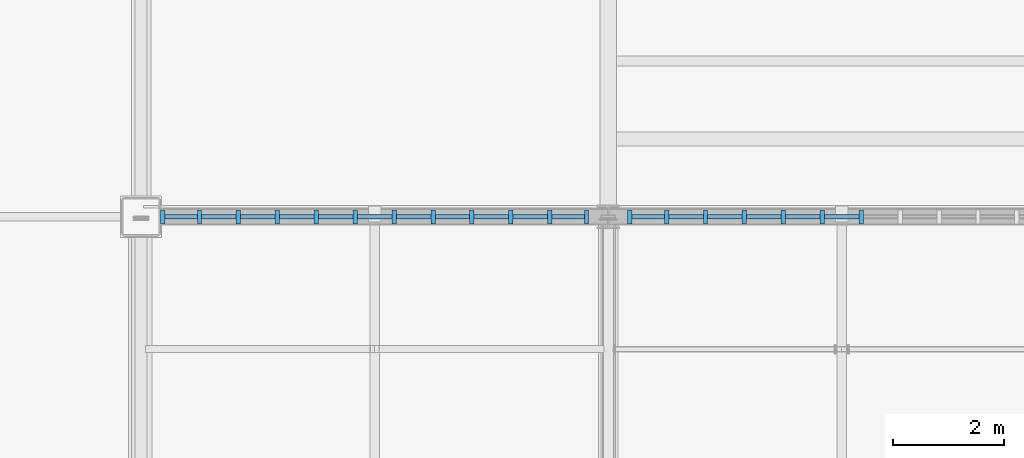
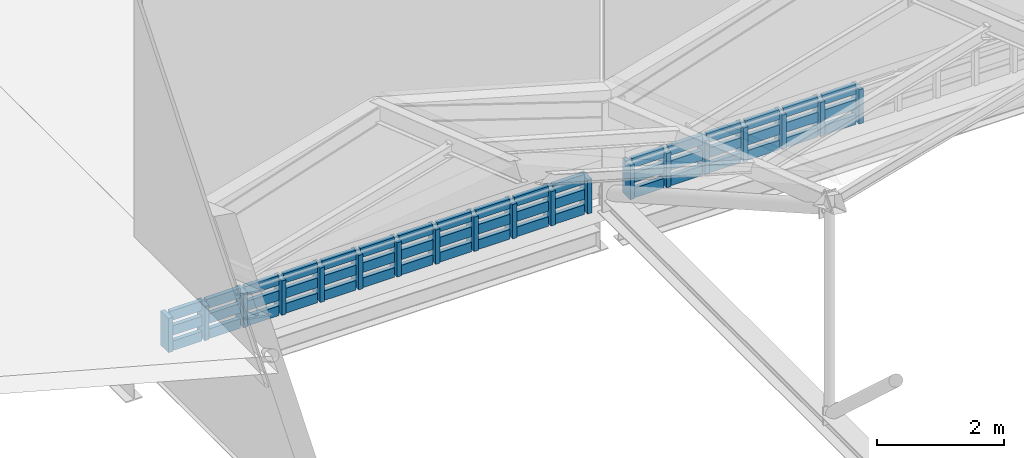
# One storey, part 43 of 77: 70 members, 2 elements without a shape of their own.
"""IFC4 building model written with IfcOpenShell, lengths in metres."""

from ifc_helpers import new_model, si_unit, direction, frame, origin, origin_2d, place, context, subcontext, project, spatial, rectangle, extrude, material, material_profile, profile_set, type_object, element, aggregate, save


model = new_model("IFC4")

# Units and contexts
model_context = context("Model", 3, precision=1e-05, world=origin(), true_north=direction((0.0, 1.0)))
body_context = subcontext(model_context, "Body", "Model", "MODEL_VIEW")
ifc_project = project(units=[si_unit("LENGTHUNIT", "METRE"), si_unit("AREAUNIT", "SQUARE_METRE"), si_unit("VOLUMEUNIT", "CUBIC_METRE"), si_unit("PLANEANGLEUNIT", "RADIAN"), si_unit("MASSUNIT", "GRAM", prefix="KILO")], contexts=[model_context])

# Site, building, storey
site_placement = place(None, origin())
site = spatial("IfcSite", under=ifc_project, at=site_placement, CompositionType="ELEMENT")
building_placement = place(site_placement, origin())
building = spatial("IfcBuilding", under=site, at=building_placement, Name="Larkvane Passage Sports Hall", CompositionType="ELEMENT")
storey_placement = place(building_placement, frame((0.0, 0.0, 22.199951171875)))
storey = spatial("IfcBuildingStorey", under=building, at=storey_placement, Name="RF", CompositionType="ELEMENT", Elevation=22.199951171875)

# Curtain wall, members
ifc_material_1 = material(Name="Thermally broken aluminium and low-E glazing", Category="aluminium")
curtain_wall_type = type_object("IfcCurtainWallType", Name="CW-CLER-N", PredefinedType="USERDEFINED", material=ifc_material_1)
curtain_wall_1_placement = place(storey_placement, origin())
curtain_wall_1 = element("IfcCurtainWall", 1, at=curtain_wall_1_placement, inside=storey, type_object=curtain_wall_type, Name="Curtain wall CW5-RF-CLER-1", ObjectType="STICK CURTAIN WALL", PredefinedType="USERDEFINED")
ifc_material_2 = material(Name="Anodised aluminium 6063-T6", Category="aluminium")
ifc_material_profile_1 = material_profile(ifc_material_2, rectangle(XDim=0.080078125, YDim=0.25, at=origin_2d()), Name="ALU-MUL-80x250")
ifc_profile_set_1 = profile_set([ifc_material_profile_1], Name="Anodised aluminium 6063-T6")
member_type_1 = type_object("IfcMemberType", Name="CW-MUL-80x250", PredefinedType="MULLION", material=ifc_profile_set_1)
member_1_placement = place(storey_placement, frame((42.81005859375, 75.60009765625, 0.0), z_axis=(0.0, 0.0, 1.0), x_axis=(-1.0, 0.0, 0.0)))
member_1 = element("IfcMember", 2, at=member_1_placement, type_object=member_type_1, Name="CW-04 mullion 1", PredefinedType="MULLION", context=body_context, shape_type="SweptSolid", body=[
    extrude(rectangle(XDim=0.080078125, YDim=0.25, at=origin_2d()), origin(), (0.0, 0.0, 1.0), 0.66015625),
])
member_2_placement = place(storey_placement, frame((42.14990234375, 75.60009765625, 0.0), z_axis=(0.0, 0.0, 1.0), x_axis=(-1.0, 0.0, 0.0)))
member_2 = element("IfcMember", 3, at=member_2_placement, type_object=member_type_1, Name="CW-04 mullion 2", PredefinedType="MULLION", context=body_context, shape_type="SweptSolid", body=[
    extrude(rectangle(XDim=0.080078125, YDim=0.25, at=origin_2d()), origin(), (0.0, 0.0, 1.0), 0.66015625),
])
member_3_placement = place(storey_placement, frame((41.449951171875, 75.60009765625, 0.0), z_axis=(0.0, 0.0, 1.0), x_axis=(-1.0, 0.0, 0.0)))
member_3 = element("IfcMember", 4, at=member_3_placement, type_object=member_type_1, Name="CW-04 mullion 3", PredefinedType="MULLION", context=body_context, shape_type="SweptSolid", body=[
    extrude(rectangle(XDim=0.080078125, YDim=0.25, at=origin_2d()), origin(), (0.0, 0.0, 1.0), 0.66015625),
])
member_4_placement = place(storey_placement, frame((40.75, 75.60009765625, 0.0), z_axis=(0.0, 0.0, 1.0), x_axis=(-1.0, 0.0, 0.0)))
member_4 = element("IfcMember", 5, at=member_4_placement, type_object=member_type_1, Name="CW-04 mullion 4", PredefinedType="MULLION", context=body_context, shape_type="SweptSolid", body=[
    extrude(rectangle(XDim=0.080078125, YDim=0.25, at=origin_2d()), origin(), (0.0, 0.0, 1.0), 0.66015625),
])
member_5_placement = place(storey_placement, frame((40.050048828125, 75.60009765625, 0.0), z_axis=(0.0, 0.0, 1.0), x_axis=(-1.0, 0.0, 0.0)))
member_5 = element("IfcMember", 6, at=member_5_placement, type_object=member_type_1, Name="CW-04 mullion 5", PredefinedType="MULLION", context=body_context, shape_type="SweptSolid", body=[
    extrude(rectangle(XDim=0.080078125, YDim=0.25, at=origin_2d()), origin(), (0.0, 0.0, 1.0), 0.66015625),
])
member_6_placement = place(storey_placement, frame((39.35009765625, 75.60009765625, 0.0), z_axis=(0.0, 0.0, 1.0), x_axis=(-1.0, 0.0, 0.0)))
member_6 = element("IfcMember", 7, at=member_6_placement, type_object=member_type_1, Name="CW-04 mullion 6", PredefinedType="MULLION", context=body_context, shape_type="SweptSolid", body=[
    extrude(rectangle(XDim=0.080078125, YDim=0.25, at=origin_2d()), origin(), (0.0, 0.0, 1.0), 0.66015625),
])
member_7_placement = place(storey_placement, frame((38.64990234375, 75.60009765625, 0.0), z_axis=(0.0, 0.0, 1.0), x_axis=(-1.0, 0.0, 0.0)))
member_7 = element("IfcMember", 8, at=member_7_placement, type_object=member_type_1, Name="CW-04 mullion 7", PredefinedType="MULLION", context=body_context, shape_type="SweptSolid", body=[
    extrude(rectangle(XDim=0.080078125, YDim=0.25, at=origin_2d()), origin(), (0.0, 0.0, 1.0), 0.66015625),
])
member_8_placement = place(storey_placement, frame((37.949951171875, 75.60009765625, 0.0), z_axis=(0.0, 0.0, 1.0), x_axis=(-1.0, 0.0, 0.0)))
member_8 = element("IfcMember", 9, at=member_8_placement, type_object=member_type_1, Name="CW-04 mullion 8", PredefinedType="MULLION", context=body_context, shape_type="SweptSolid", body=[
    extrude(rectangle(XDim=0.080078125, YDim=0.25, at=origin_2d()), origin(), (0.0, 0.0, 1.0), 0.66015625),
])
member_9_placement = place(storey_placement, frame((37.25, 75.60009765625, 0.0), z_axis=(0.0, 0.0, 1.0), x_axis=(-1.0, 0.0, 0.0)))
member_9 = element("IfcMember", 10, at=member_9_placement, type_object=member_type_1, Name="CW-04 mullion 9", PredefinedType="MULLION", context=body_context, shape_type="SweptSolid", body=[
    extrude(rectangle(XDim=0.080078125, YDim=0.25, at=origin_2d()), origin(), (0.0, 0.0, 1.0), 0.66015625),
])
member_10_placement = place(storey_placement, frame((36.550048828125, 75.60009765625, 0.0), z_axis=(0.0, 0.0, 1.0), x_axis=(-1.0, 0.0, 0.0)))
member_10 = element("IfcMember", 11, at=member_10_placement, type_object=member_type_1, Name="CW-04 mullion 10", PredefinedType="MULLION", context=body_context, shape_type="SweptSolid", body=[
    extrude(rectangle(XDim=0.080078125, YDim=0.25, at=origin_2d()), origin(), (0.0, 0.0, 1.0), 0.66015625),
])
member_11_placement = place(storey_placement, frame((35.85009765625, 75.60009765625, 0.0), z_axis=(0.0, 0.0, 1.0), x_axis=(-1.0, 0.0, 0.0)))
member_11 = element("IfcMember", 12, at=member_11_placement, type_object=member_type_1, Name="CW-04 mullion 11", PredefinedType="MULLION", context=body_context, shape_type="SweptSolid", body=[
    extrude(rectangle(XDim=0.080078125, YDim=0.25, at=origin_2d()), origin(), (0.0, 0.0, 1.0), 0.66015625),
])
member_12_placement = place(storey_placement, frame((35.18994140625, 75.60009765625, 0.0), z_axis=(0.0, 0.0, 1.0), x_axis=(-1.0, 0.0, 0.0)))
member_12 = element("IfcMember", 13, at=member_12_placement, type_object=member_type_1, Name="CW-04 mullion 12", PredefinedType="MULLION", context=body_context, shape_type="SweptSolid", body=[
    extrude(rectangle(XDim=0.080078125, YDim=0.25, at=origin_2d()), origin(), (0.0, 0.0, 1.0), 0.66015625),
])

curtain_wall_2_placement = place(storey_placement, origin())
curtain_wall_2 = element("IfcCurtainWall", 14, at=curtain_wall_2_placement, inside=storey, type_object=curtain_wall_type, Name="Curtain wall CW5-RF-CLER-2", ObjectType="STICK CURTAIN WALL", PredefinedType="USERDEFINED")
member_13_placement = place(storey_placement, frame((47.75, 75.60009765625, 0.0), z_axis=(0.0, 0.0, 1.0), x_axis=(-1.0, 0.0, 0.0)))
member_13 = element("IfcMember", 15, at=member_13_placement, type_object=member_type_1, Name="CW-04 mullion 6", PredefinedType="MULLION", context=body_context, shape_type="SweptSolid", body=[
    extrude(rectangle(XDim=0.080078125, YDim=0.25, at=origin_2d()), origin(), (0.0, 0.0, 1.0), 0.66015625),
])
member_14_placement = place(storey_placement, frame((47.050048828125, 75.60009765625, 0.0), z_axis=(0.0, 0.0, 1.0), x_axis=(-1.0, 0.0, 0.0)))
member_14 = element("IfcMember", 16, at=member_14_placement, type_object=member_type_1, Name="CW-04 mullion 7", PredefinedType="MULLION", context=body_context, shape_type="SweptSolid", body=[
    extrude(rectangle(XDim=0.080078125, YDim=0.25, at=origin_2d()), origin(), (0.0, 0.0, 1.0), 0.66015625),
])
member_15_placement = place(storey_placement, frame((46.35009765625, 75.60009765625, 0.0), z_axis=(0.0, 0.0, 1.0), x_axis=(-1.0, 0.0, 0.0)))
member_15 = element("IfcMember", 17, at=member_15_placement, type_object=member_type_1, Name="CW-04 mullion 8", PredefinedType="MULLION", context=body_context, shape_type="SweptSolid", body=[
    extrude(rectangle(XDim=0.080078125, YDim=0.25, at=origin_2d()), origin(), (0.0, 0.0, 1.0), 0.66015625),
])
member_16_placement = place(storey_placement, frame((45.64990234375, 75.60009765625, 0.0), z_axis=(0.0, 0.0, 1.0), x_axis=(-1.0, 0.0, 0.0)))
member_16 = element("IfcMember", 18, at=member_16_placement, type_object=member_type_1, Name="CW-04 mullion 9", PredefinedType="MULLION", context=body_context, shape_type="SweptSolid", body=[
    extrude(rectangle(XDim=0.080078125, YDim=0.25, at=origin_2d()), origin(), (0.0, 0.0, 1.0), 0.66015625),
])
member_17_placement = place(storey_placement, frame((44.949951171875, 75.60009765625, 0.0), z_axis=(0.0, 0.0, 1.0), x_axis=(-1.0, 0.0, 0.0)))
member_17 = element("IfcMember", 19, at=member_17_placement, type_object=member_type_1, Name="CW-04 mullion 10", PredefinedType="MULLION", context=body_context, shape_type="SweptSolid", body=[
    extrude(rectangle(XDim=0.080078125, YDim=0.25, at=origin_2d()), origin(), (0.0, 0.0, 1.0), 0.66015625),
])
member_18_placement = place(storey_placement, frame((44.25, 75.60009765625, 0.0), z_axis=(0.0, 0.0, 1.0), x_axis=(-1.0, 0.0, 0.0)))
member_18 = element("IfcMember", 20, at=member_18_placement, type_object=member_type_1, Name="CW-04 mullion 11", PredefinedType="MULLION", context=body_context, shape_type="SweptSolid", body=[
    extrude(rectangle(XDim=0.080078125, YDim=0.25, at=origin_2d()), origin(), (0.0, 0.0, 1.0), 0.66015625),
])
member_19_placement = place(storey_placement, frame((43.590087890625, 75.60009765625, 0.0), z_axis=(0.0, 0.0, 1.0), x_axis=(-1.0, 0.0, 0.0)))
member_19 = element("IfcMember", 21, at=member_19_placement, type_object=member_type_1, Name="CW-04 mullion 12", PredefinedType="MULLION", context=body_context, shape_type="SweptSolid", body=[
    extrude(rectangle(XDim=0.080078125, YDim=0.25, at=origin_2d()), origin(), (0.0, 0.0, 1.0), 0.66015625),
])

# Member
ifc_material_profile_2 = material_profile(ifc_material_2, rectangle(XDim=0.074951171875, YDim=0.18505859375, at=origin_2d()), Name="ALU-TRN-75x185")
ifc_profile_set_2 = profile_set([ifc_material_profile_2], Name="Anodised aluminium 6063-T6")
member_type_2 = type_object("IfcMemberType", Name="CW-TRN-75x185", PredefinedType="USERDEFINED", material=ifc_profile_set_2)
member_20_placement = place(storey_placement, frame((42.77001953125, 75.60009765625, 0.03759765625), z_axis=(-1.0, 0.0, 0.0), x_axis=(0.0, -1.0, 0.0)))
member_20 = element("IfcMember", 22, at=member_20_placement, type_object=member_type_2, Name="CW-04 transom 1.1", ObjectType="TRANSOM", PredefinedType="USERDEFINED", context=body_context, shape_type="SweptSolid", body=[
    extrude(rectangle(XDim=0.074951171875, YDim=0.18505859375, at=origin_2d()), origin(), (0.0, 0.0, 1.0), 0.580078125),
])

member_21_placement = place(storey_placement, frame((42.77001953125, 75.60009765625, 0.330078125), z_axis=(-1.0, 0.0, 0.0), x_axis=(0.0, -1.0, 0.0)))
member_21 = element("IfcMember", 23, at=member_21_placement, type_object=member_type_2, Name="CW-04 transom 1.2", ObjectType="TRANSOM", PredefinedType="USERDEFINED", context=body_context, shape_type="SweptSolid", body=[
    extrude(rectangle(XDim=0.074951171875, YDim=0.18505859375, at=origin_2d()), origin(), (0.0, 0.0, 1.0), 0.580078125),
])

member_22_placement = place(storey_placement, frame((42.77001953125, 75.60009765625, 0.62255859375), z_axis=(-1.0, 0.0, 0.0), x_axis=(0.0, -1.0, 0.0)))
member_22 = element("IfcMember", 24, at=member_22_placement, type_object=member_type_2, Name="CW-04 transom 1.3", ObjectType="TRANSOM", PredefinedType="USERDEFINED", context=body_context, shape_type="SweptSolid", body=[
    extrude(rectangle(XDim=0.074951171875, YDim=0.18505859375, at=origin_2d()), origin(), (0.0, 0.0, 1.0), 0.580078125),
])

member_23_placement = place(storey_placement, frame((42.110107421875, 75.60009765625, 0.03759765625), z_axis=(-1.0, 0.0, 0.0), x_axis=(0.0, -1.0, 0.0)))
member_23 = element("IfcMember", 25, at=member_23_placement, type_object=member_type_2, Name="CW-04 transom 2.1", ObjectType="TRANSOM", PredefinedType="USERDEFINED", context=body_context, shape_type="SweptSolid", body=[
    extrude(rectangle(XDim=0.074951171875, YDim=0.18505859375, at=origin_2d()), origin(), (0.0, 0.0, 1.0), 0.6201171875),
])

member_24_placement = place(storey_placement, frame((42.110107421875, 75.60009765625, 0.330078125), z_axis=(-1.0, 0.0, 0.0), x_axis=(0.0, -1.0, 0.0)))
member_24 = element("IfcMember", 26, at=member_24_placement, type_object=member_type_2, Name="CW-04 transom 2.2", ObjectType="TRANSOM", PredefinedType="USERDEFINED", context=body_context, shape_type="SweptSolid", body=[
    extrude(rectangle(XDim=0.074951171875, YDim=0.18505859375, at=origin_2d()), origin(), (0.0, 0.0, 1.0), 0.6201171875),
])

member_25_placement = place(storey_placement, frame((42.110107421875, 75.60009765625, 0.62255859375), z_axis=(-1.0, 0.0, 0.0), x_axis=(0.0, -1.0, 0.0)))
member_25 = element("IfcMember", 27, at=member_25_placement, type_object=member_type_2, Name="CW-04 transom 2.3", ObjectType="TRANSOM", PredefinedType="USERDEFINED", context=body_context, shape_type="SweptSolid", body=[
    extrude(rectangle(XDim=0.074951171875, YDim=0.18505859375, at=origin_2d()), origin(), (0.0, 0.0, 1.0), 0.6201171875),
])

member_26_placement = place(storey_placement, frame((41.409912109375, 75.60009765625, 0.03759765625), z_axis=(-1.0, 0.0, 0.0), x_axis=(0.0, -1.0, 0.0)))
member_26 = element("IfcMember", 28, at=member_26_placement, type_object=member_type_2, Name="CW-04 transom 3.1", ObjectType="TRANSOM", PredefinedType="USERDEFINED", context=body_context, shape_type="SweptSolid", body=[
    extrude(rectangle(XDim=0.074951171875, YDim=0.18505859375, at=origin_2d()), origin(), (0.0, 0.0, 1.0), 0.619873046875),
])

member_27_placement = place(storey_placement, frame((41.409912109375, 75.60009765625, 0.330078125), z_axis=(-1.0, 0.0, 0.0), x_axis=(0.0, -1.0, 0.0)))
member_27 = element("IfcMember", 29, at=member_27_placement, type_object=member_type_2, Name="CW-04 transom 3.2", ObjectType="TRANSOM", PredefinedType="USERDEFINED", context=body_context, shape_type="SweptSolid", body=[
    extrude(rectangle(XDim=0.074951171875, YDim=0.18505859375, at=origin_2d()), origin(), (0.0, 0.0, 1.0), 0.619873046875),
])

member_28_placement = place(storey_placement, frame((41.409912109375, 75.60009765625, 0.62255859375), z_axis=(-1.0, 0.0, 0.0), x_axis=(0.0, -1.0, 0.0)))
member_28 = element("IfcMember", 30, at=member_28_placement, type_object=member_type_2, Name="CW-04 transom 3.3", ObjectType="TRANSOM", PredefinedType="USERDEFINED", context=body_context, shape_type="SweptSolid", body=[
    extrude(rectangle(XDim=0.074951171875, YDim=0.18505859375, at=origin_2d()), origin(), (0.0, 0.0, 1.0), 0.619873046875),
])

member_29_placement = place(storey_placement, frame((40.7099609375, 75.60009765625, 0.03759765625), z_axis=(-1.0, 0.0, 0.0), x_axis=(0.0, -1.0, 0.0)))
member_29 = element("IfcMember", 31, at=member_29_placement, type_object=member_type_2, Name="CW-04 transom 4.1", ObjectType="TRANSOM", PredefinedType="USERDEFINED", context=body_context, shape_type="SweptSolid", body=[
    extrude(rectangle(XDim=0.074951171875, YDim=0.18505859375, at=origin_2d()), origin(), (0.0, 0.0, 1.0), 0.619873046875),
])

member_30_placement = place(storey_placement, frame((40.7099609375, 75.60009765625, 0.330078125), z_axis=(-1.0, 0.0, 0.0), x_axis=(0.0, -1.0, 0.0)))
member_30 = element("IfcMember", 32, at=member_30_placement, type_object=member_type_2, Name="CW-04 transom 4.2", ObjectType="TRANSOM", PredefinedType="USERDEFINED", context=body_context, shape_type="SweptSolid", body=[
    extrude(rectangle(XDim=0.074951171875, YDim=0.18505859375, at=origin_2d()), origin(), (0.0, 0.0, 1.0), 0.619873046875),
])

member_31_placement = place(storey_placement, frame((40.7099609375, 75.60009765625, 0.62255859375), z_axis=(-1.0, 0.0, 0.0), x_axis=(0.0, -1.0, 0.0)))
member_31 = element("IfcMember", 33, at=member_31_placement, type_object=member_type_2, Name="CW-04 transom 4.3", ObjectType="TRANSOM", PredefinedType="USERDEFINED", context=body_context, shape_type="SweptSolid", body=[
    extrude(rectangle(XDim=0.074951171875, YDim=0.18505859375, at=origin_2d()), origin(), (0.0, 0.0, 1.0), 0.619873046875),
])

member_32_placement = place(storey_placement, frame((40.010009765625, 75.60009765625, 0.03759765625), z_axis=(-1.0, 0.0, 0.0), x_axis=(0.0, -1.0, 0.0)))
member_32 = element("IfcMember", 34, at=member_32_placement, type_object=member_type_2, Name="CW-04 transom 5.1", ObjectType="TRANSOM", PredefinedType="USERDEFINED", context=body_context, shape_type="SweptSolid", body=[
    extrude(rectangle(XDim=0.074951171875, YDim=0.18505859375, at=origin_2d()), origin(), (0.0, 0.0, 1.0), 0.6201171875),
])

member_33_placement = place(storey_placement, frame((40.010009765625, 75.60009765625, 0.330078125), z_axis=(-1.0, 0.0, 0.0), x_axis=(0.0, -1.0, 0.0)))
member_33 = element("IfcMember", 35, at=member_33_placement, type_object=member_type_2, Name="CW-04 transom 5.2", ObjectType="TRANSOM", PredefinedType="USERDEFINED", context=body_context, shape_type="SweptSolid", body=[
    extrude(rectangle(XDim=0.074951171875, YDim=0.18505859375, at=origin_2d()), origin(), (0.0, 0.0, 1.0), 0.6201171875),
])

member_34_placement = place(storey_placement, frame((40.010009765625, 75.60009765625, 0.62255859375), z_axis=(-1.0, 0.0, 0.0), x_axis=(0.0, -1.0, 0.0)))
member_34 = element("IfcMember", 36, at=member_34_placement, type_object=member_type_2, Name="CW-04 transom 5.3", ObjectType="TRANSOM", PredefinedType="USERDEFINED", context=body_context, shape_type="SweptSolid", body=[
    extrude(rectangle(XDim=0.074951171875, YDim=0.18505859375, at=origin_2d()), origin(), (0.0, 0.0, 1.0), 0.6201171875),
])

member_35_placement = place(storey_placement, frame((39.31005859375, 75.60009765625, 0.03759765625), z_axis=(-1.0, 0.0, 0.0), x_axis=(0.0, -1.0, 0.0)))
member_35 = element("IfcMember", 37, at=member_35_placement, type_object=member_type_2, Name="CW-04 transom 6.1", ObjectType="TRANSOM", PredefinedType="USERDEFINED", context=body_context, shape_type="SweptSolid", body=[
    extrude(rectangle(XDim=0.074951171875, YDim=0.18505859375, at=origin_2d()), origin(), (0.0, 0.0, 1.0), 0.6201171875),
])

member_36_placement = place(storey_placement, frame((39.31005859375, 75.60009765625, 0.330078125), z_axis=(-1.0, 0.0, 0.0), x_axis=(0.0, -1.0, 0.0)))
member_36 = element("IfcMember", 38, at=member_36_placement, type_object=member_type_2, Name="CW-04 transom 6.2", ObjectType="TRANSOM", PredefinedType="USERDEFINED", context=body_context, shape_type="SweptSolid", body=[
    extrude(rectangle(XDim=0.074951171875, YDim=0.18505859375, at=origin_2d()), origin(), (0.0, 0.0, 1.0), 0.6201171875),
])

member_37_placement = place(storey_placement, frame((39.31005859375, 75.60009765625, 0.62255859375), z_axis=(-1.0, 0.0, 0.0), x_axis=(0.0, -1.0, 0.0)))
member_37 = element("IfcMember", 39, at=member_37_placement, type_object=member_type_2, Name="CW-04 transom 6.3", ObjectType="TRANSOM", PredefinedType="USERDEFINED", context=body_context, shape_type="SweptSolid", body=[
    extrude(rectangle(XDim=0.074951171875, YDim=0.18505859375, at=origin_2d()), origin(), (0.0, 0.0, 1.0), 0.6201171875),
])

member_38_placement = place(storey_placement, frame((38.610107421875, 75.60009765625, 0.03759765625), z_axis=(-1.0, 0.0, 0.0), x_axis=(0.0, -1.0, 0.0)))
member_38 = element("IfcMember", 40, at=member_38_placement, type_object=member_type_2, Name="CW-04 transom 7.1", ObjectType="TRANSOM", PredefinedType="USERDEFINED", context=body_context, shape_type="SweptSolid", body=[
    extrude(rectangle(XDim=0.074951171875, YDim=0.18505859375, at=origin_2d()), origin(), (0.0, 0.0, 1.0), 0.6201171875),
])

member_39_placement = place(storey_placement, frame((38.610107421875, 75.60009765625, 0.330078125), z_axis=(-1.0, 0.0, 0.0), x_axis=(0.0, -1.0, 0.0)))
member_39 = element("IfcMember", 41, at=member_39_placement, type_object=member_type_2, Name="CW-04 transom 7.2", ObjectType="TRANSOM", PredefinedType="USERDEFINED", context=body_context, shape_type="SweptSolid", body=[
    extrude(rectangle(XDim=0.074951171875, YDim=0.18505859375, at=origin_2d()), origin(), (0.0, 0.0, 1.0), 0.6201171875),
])

member_40_placement = place(storey_placement, frame((38.610107421875, 75.60009765625, 0.62255859375), z_axis=(-1.0, 0.0, 0.0), x_axis=(0.0, -1.0, 0.0)))
member_40 = element("IfcMember", 42, at=member_40_placement, type_object=member_type_2, Name="CW-04 transom 7.3", ObjectType="TRANSOM", PredefinedType="USERDEFINED", context=body_context, shape_type="SweptSolid", body=[
    extrude(rectangle(XDim=0.074951171875, YDim=0.18505859375, at=origin_2d()), origin(), (0.0, 0.0, 1.0), 0.6201171875),
])

member_41_placement = place(storey_placement, frame((37.909912109375, 75.60009765625, 0.03759765625), z_axis=(-1.0, 0.0, 0.0), x_axis=(0.0, -1.0, 0.0)))
member_41 = element("IfcMember", 43, at=member_41_placement, type_object=member_type_2, Name="CW-04 transom 8.1", ObjectType="TRANSOM", PredefinedType="USERDEFINED", context=body_context, shape_type="SweptSolid", body=[
    extrude(rectangle(XDim=0.074951171875, YDim=0.18505859375, at=origin_2d()), origin(), (0.0, 0.0, 1.0), 0.619873046875),
])

member_42_placement = place(storey_placement, frame((37.909912109375, 75.60009765625, 0.330078125), z_axis=(-1.0, 0.0, 0.0), x_axis=(0.0, -1.0, 0.0)))
member_42 = element("IfcMember", 44, at=member_42_placement, type_object=member_type_2, Name="CW-04 transom 8.2", ObjectType="TRANSOM", PredefinedType="USERDEFINED", context=body_context, shape_type="SweptSolid", body=[
    extrude(rectangle(XDim=0.074951171875, YDim=0.18505859375, at=origin_2d()), origin(), (0.0, 0.0, 1.0), 0.619873046875),
])

member_43_placement = place(storey_placement, frame((37.909912109375, 75.60009765625, 0.62255859375), z_axis=(-1.0, 0.0, 0.0), x_axis=(0.0, -1.0, 0.0)))
member_43 = element("IfcMember", 45, at=member_43_placement, type_object=member_type_2, Name="CW-04 transom 8.3", ObjectType="TRANSOM", PredefinedType="USERDEFINED", context=body_context, shape_type="SweptSolid", body=[
    extrude(rectangle(XDim=0.074951171875, YDim=0.18505859375, at=origin_2d()), origin(), (0.0, 0.0, 1.0), 0.619873046875),
])

member_44_placement = place(storey_placement, frame((37.2099609375, 75.60009765625, 0.03759765625), z_axis=(-1.0, 0.0, 0.0), x_axis=(0.0, -1.0, 0.0)))
member_44 = element("IfcMember", 46, at=member_44_placement, type_object=member_type_2, Name="CW-04 transom 9.1", ObjectType="TRANSOM", PredefinedType="USERDEFINED", context=body_context, shape_type="SweptSolid", body=[
    extrude(rectangle(XDim=0.074951171875, YDim=0.18505859375, at=origin_2d()), origin(), (0.0, 0.0, 1.0), 0.619873046875),
])

member_45_placement = place(storey_placement, frame((37.2099609375, 75.60009765625, 0.330078125), z_axis=(-1.0, 0.0, 0.0), x_axis=(0.0, -1.0, 0.0)))
member_45 = element("IfcMember", 47, at=member_45_placement, type_object=member_type_2, Name="CW-04 transom 9.2", ObjectType="TRANSOM", PredefinedType="USERDEFINED", context=body_context, shape_type="SweptSolid", body=[
    extrude(rectangle(XDim=0.074951171875, YDim=0.18505859375, at=origin_2d()), origin(), (0.0, 0.0, 1.0), 0.619873046875),
])

member_46_placement = place(storey_placement, frame((37.2099609375, 75.60009765625, 0.62255859375), z_axis=(-1.0, 0.0, 0.0), x_axis=(0.0, -1.0, 0.0)))
member_46 = element("IfcMember", 48, at=member_46_placement, type_object=member_type_2, Name="CW-04 transom 9.3", ObjectType="TRANSOM", PredefinedType="USERDEFINED", context=body_context, shape_type="SweptSolid", body=[
    extrude(rectangle(XDim=0.074951171875, YDim=0.18505859375, at=origin_2d()), origin(), (0.0, 0.0, 1.0), 0.619873046875),
])

member_47_placement = place(storey_placement, frame((36.510009765625, 75.60009765625, 0.03759765625), z_axis=(-1.0, 0.0, 0.0), x_axis=(0.0, -1.0, 0.0)))
member_47 = element("IfcMember", 49, at=member_47_placement, type_object=member_type_2, Name="CW-04 transom 10.1", ObjectType="TRANSOM", PredefinedType="USERDEFINED", context=body_context, shape_type="SweptSolid", body=[
    extrude(rectangle(XDim=0.074951171875, YDim=0.18505859375, at=origin_2d()), origin(), (0.0, 0.0, 1.0), 0.6201171875),
])

member_48_placement = place(storey_placement, frame((36.510009765625, 75.60009765625, 0.330078125), z_axis=(-1.0, 0.0, 0.0), x_axis=(0.0, -1.0, 0.0)))
member_48 = element("IfcMember", 50, at=member_48_placement, type_object=member_type_2, Name="CW-04 transom 10.2", ObjectType="TRANSOM", PredefinedType="USERDEFINED", context=body_context, shape_type="SweptSolid", body=[
    extrude(rectangle(XDim=0.074951171875, YDim=0.18505859375, at=origin_2d()), origin(), (0.0, 0.0, 1.0), 0.6201171875),
])

member_49_placement = place(storey_placement, frame((36.510009765625, 75.60009765625, 0.62255859375), z_axis=(-1.0, 0.0, 0.0), x_axis=(0.0, -1.0, 0.0)))
member_49 = element("IfcMember", 51, at=member_49_placement, type_object=member_type_2, Name="CW-04 transom 10.3", ObjectType="TRANSOM", PredefinedType="USERDEFINED", context=body_context, shape_type="SweptSolid", body=[
    extrude(rectangle(XDim=0.074951171875, YDim=0.18505859375, at=origin_2d()), origin(), (0.0, 0.0, 1.0), 0.6201171875),
])

member_50_placement = place(storey_placement, frame((35.81005859375, 75.60009765625, 0.03759765625), z_axis=(-1.0, 0.0, 0.0), x_axis=(0.0, -1.0, 0.0)))
member_50 = element("IfcMember", 52, at=member_50_placement, type_object=member_type_2, Name="CW-04 transom 11.1", ObjectType="TRANSOM", PredefinedType="USERDEFINED", context=body_context, shape_type="SweptSolid", body=[
    extrude(rectangle(XDim=0.074951171875, YDim=0.18505859375, at=origin_2d()), origin(), (0.0, 0.0, 1.0), 0.580078125),
])

member_51_placement = place(storey_placement, frame((35.81005859375, 75.60009765625, 0.330078125), z_axis=(-1.0, 0.0, 0.0), x_axis=(0.0, -1.0, 0.0)))
member_51 = element("IfcMember", 53, at=member_51_placement, type_object=member_type_2, Name="CW-04 transom 11.2", ObjectType="TRANSOM", PredefinedType="USERDEFINED", context=body_context, shape_type="SweptSolid", body=[
    extrude(rectangle(XDim=0.074951171875, YDim=0.18505859375, at=origin_2d()), origin(), (0.0, 0.0, 1.0), 0.580078125),
])

member_52_placement = place(storey_placement, frame((35.81005859375, 75.60009765625, 0.62255859375), z_axis=(-1.0, 0.0, 0.0), x_axis=(0.0, -1.0, 0.0)))
member_52 = element("IfcMember", 54, at=member_52_placement, type_object=member_type_2, Name="CW-04 transom 11.3", ObjectType="TRANSOM", PredefinedType="USERDEFINED", context=body_context, shape_type="SweptSolid", body=[
    extrude(rectangle(XDim=0.074951171875, YDim=0.18505859375, at=origin_2d()), origin(), (0.0, 0.0, 1.0), 0.580078125),
])

aggregate(curtain_wall_1, [member_1, member_2, member_3, member_4, member_5, member_6, member_7, member_8, member_9, member_10, member_11, member_12, member_20, member_21, member_22, member_23, member_24, member_25, member_26, member_27, member_28, member_29, member_30, member_31, member_32, member_33, member_34, member_35, member_36, member_37, member_38, member_39, member_40, member_41, member_42, member_43, member_44, member_45, member_46, member_47, member_48, member_49, member_50, member_51, member_52])

member_53_placement = place(storey_placement, frame((47.7099609375, 75.60009765625, 0.03759765625), z_axis=(-1.0, 0.0, 0.0), x_axis=(0.0, -1.0, 0.0)))
member_53 = element("IfcMember", 55, at=member_53_placement, type_object=member_type_2, Name="CW-04 transom 6.1", ObjectType="TRANSOM", PredefinedType="USERDEFINED", context=body_context, shape_type="SweptSolid", body=[
    extrude(rectangle(XDim=0.074951171875, YDim=0.18505859375, at=origin_2d()), origin(), (0.0, 0.0, 1.0), 0.619873046875),
])

member_54_placement = place(storey_placement, frame((47.7099609375, 75.60009765625, 0.330078125), z_axis=(-1.0, 0.0, 0.0), x_axis=(0.0, -1.0, 0.0)))
member_54 = element("IfcMember", 56, at=member_54_placement, type_object=member_type_2, Name="CW-04 transom 6.2", ObjectType="TRANSOM", PredefinedType="USERDEFINED", context=body_context, shape_type="SweptSolid", body=[
    extrude(rectangle(XDim=0.074951171875, YDim=0.18505859375, at=origin_2d()), origin(), (0.0, 0.0, 1.0), 0.619873046875),
])

member_55_placement = place(storey_placement, frame((47.7099609375, 75.60009765625, 0.62255859375), z_axis=(-1.0, 0.0, 0.0), x_axis=(0.0, -1.0, 0.0)))
member_55 = element("IfcMember", 57, at=member_55_placement, type_object=member_type_2, Name="CW-04 transom 6.3", ObjectType="TRANSOM", PredefinedType="USERDEFINED", context=body_context, shape_type="SweptSolid", body=[
    extrude(rectangle(XDim=0.074951171875, YDim=0.18505859375, at=origin_2d()), origin(), (0.0, 0.0, 1.0), 0.619873046875),
])

member_56_placement = place(storey_placement, frame((47.010009765625, 75.60009765625, 0.03759765625), z_axis=(-1.0, 0.0, 0.0), x_axis=(0.0, -1.0, 0.0)))
member_56 = element("IfcMember", 58, at=member_56_placement, type_object=member_type_2, Name="CW-04 transom 7.1", ObjectType="TRANSOM", PredefinedType="USERDEFINED", context=body_context, shape_type="SweptSolid", body=[
    extrude(rectangle(XDim=0.074951171875, YDim=0.18505859375, at=origin_2d()), origin(), (0.0, 0.0, 1.0), 0.6201171875),
])

member_57_placement = place(storey_placement, frame((47.010009765625, 75.60009765625, 0.330078125), z_axis=(-1.0, 0.0, 0.0), x_axis=(0.0, -1.0, 0.0)))
member_57 = element("IfcMember", 59, at=member_57_placement, type_object=member_type_2, Name="CW-04 transom 7.2", ObjectType="TRANSOM", PredefinedType="USERDEFINED", context=body_context, shape_type="SweptSolid", body=[
    extrude(rectangle(XDim=0.074951171875, YDim=0.18505859375, at=origin_2d()), origin(), (0.0, 0.0, 1.0), 0.6201171875),
])

member_58_placement = place(storey_placement, frame((47.010009765625, 75.60009765625, 0.62255859375), z_axis=(-1.0, 0.0, 0.0), x_axis=(0.0, -1.0, 0.0)))
member_58 = element("IfcMember", 60, at=member_58_placement, type_object=member_type_2, Name="CW-04 transom 7.3", ObjectType="TRANSOM", PredefinedType="USERDEFINED", context=body_context, shape_type="SweptSolid", body=[
    extrude(rectangle(XDim=0.074951171875, YDim=0.18505859375, at=origin_2d()), origin(), (0.0, 0.0, 1.0), 0.6201171875),
])

member_59_placement = place(storey_placement, frame((46.31005859375, 75.60009765625, 0.03759765625), z_axis=(-1.0, 0.0, 0.0), x_axis=(0.0, -1.0, 0.0)))
member_59 = element("IfcMember", 61, at=member_59_placement, type_object=member_type_2, Name="CW-04 transom 8.1", ObjectType="TRANSOM", PredefinedType="USERDEFINED", context=body_context, shape_type="SweptSolid", body=[
    extrude(rectangle(XDim=0.074951171875, YDim=0.18505859375, at=origin_2d()), origin(), (0.0, 0.0, 1.0), 0.6201171875),
])

member_60_placement = place(storey_placement, frame((46.31005859375, 75.60009765625, 0.330078125), z_axis=(-1.0, 0.0, 0.0), x_axis=(0.0, -1.0, 0.0)))
member_60 = element("IfcMember", 62, at=member_60_placement, type_object=member_type_2, Name="CW-04 transom 8.2", ObjectType="TRANSOM", PredefinedType="USERDEFINED", context=body_context, shape_type="SweptSolid", body=[
    extrude(rectangle(XDim=0.074951171875, YDim=0.18505859375, at=origin_2d()), origin(), (0.0, 0.0, 1.0), 0.6201171875),
])

member_61_placement = place(storey_placement, frame((46.31005859375, 75.60009765625, 0.62255859375), z_axis=(-1.0, 0.0, 0.0), x_axis=(0.0, -1.0, 0.0)))
member_61 = element("IfcMember", 63, at=member_61_placement, type_object=member_type_2, Name="CW-04 transom 8.3", ObjectType="TRANSOM", PredefinedType="USERDEFINED", context=body_context, shape_type="SweptSolid", body=[
    extrude(rectangle(XDim=0.074951171875, YDim=0.18505859375, at=origin_2d()), origin(), (0.0, 0.0, 1.0), 0.6201171875),
])

member_62_placement = place(storey_placement, frame((45.610107421875, 75.60009765625, 0.03759765625), z_axis=(-1.0, 0.0, 0.0), x_axis=(0.0, -1.0, 0.0)))
member_62 = element("IfcMember", 64, at=member_62_placement, type_object=member_type_2, Name="CW-04 transom 9.1", ObjectType="TRANSOM", PredefinedType="USERDEFINED", context=body_context, shape_type="SweptSolid", body=[
    extrude(rectangle(XDim=0.074951171875, YDim=0.18505859375, at=origin_2d()), origin(), (0.0, 0.0, 1.0), 0.6201171875),
])

member_63_placement = place(storey_placement, frame((45.610107421875, 75.60009765625, 0.330078125), z_axis=(-1.0, 0.0, 0.0), x_axis=(0.0, -1.0, 0.0)))
member_63 = element("IfcMember", 65, at=member_63_placement, type_object=member_type_2, Name="CW-04 transom 9.2", ObjectType="TRANSOM", PredefinedType="USERDEFINED", context=body_context, shape_type="SweptSolid", body=[
    extrude(rectangle(XDim=0.074951171875, YDim=0.18505859375, at=origin_2d()), origin(), (0.0, 0.0, 1.0), 0.6201171875),
])

member_64_placement = place(storey_placement, frame((45.610107421875, 75.60009765625, 0.62255859375), z_axis=(-1.0, 0.0, 0.0), x_axis=(0.0, -1.0, 0.0)))
member_64 = element("IfcMember", 66, at=member_64_placement, type_object=member_type_2, Name="CW-04 transom 9.3", ObjectType="TRANSOM", PredefinedType="USERDEFINED", context=body_context, shape_type="SweptSolid", body=[
    extrude(rectangle(XDim=0.074951171875, YDim=0.18505859375, at=origin_2d()), origin(), (0.0, 0.0, 1.0), 0.6201171875),
])

member_65_placement = place(storey_placement, frame((44.909912109375, 75.60009765625, 0.03759765625), z_axis=(-1.0, 0.0, 0.0), x_axis=(0.0, -1.0, 0.0)))
member_65 = element("IfcMember", 67, at=member_65_placement, type_object=member_type_2, Name="CW-04 transom 10.1", ObjectType="TRANSOM", PredefinedType="USERDEFINED", context=body_context, shape_type="SweptSolid", body=[
    extrude(rectangle(XDim=0.074951171875, YDim=0.18505859375, at=origin_2d()), origin(), (0.0, 0.0, 1.0), 0.619873046875),
])

member_66_placement = place(storey_placement, frame((44.909912109375, 75.60009765625, 0.330078125), z_axis=(-1.0, 0.0, 0.0), x_axis=(0.0, -1.0, 0.0)))
member_66 = element("IfcMember", 68, at=member_66_placement, type_object=member_type_2, Name="CW-04 transom 10.2", ObjectType="TRANSOM", PredefinedType="USERDEFINED", context=body_context, shape_type="SweptSolid", body=[
    extrude(rectangle(XDim=0.074951171875, YDim=0.18505859375, at=origin_2d()), origin(), (0.0, 0.0, 1.0), 0.619873046875),
])

member_67_placement = place(storey_placement, frame((44.909912109375, 75.60009765625, 0.62255859375), z_axis=(-1.0, 0.0, 0.0), x_axis=(0.0, -1.0, 0.0)))
member_67 = element("IfcMember", 69, at=member_67_placement, type_object=member_type_2, Name="CW-04 transom 10.3", ObjectType="TRANSOM", PredefinedType="USERDEFINED", context=body_context, shape_type="SweptSolid", body=[
    extrude(rectangle(XDim=0.074951171875, YDim=0.18505859375, at=origin_2d()), origin(), (0.0, 0.0, 1.0), 0.619873046875),
])

member_68_placement = place(storey_placement, frame((44.2099609375, 75.60009765625, 0.03759765625), z_axis=(-1.0, 0.0, 0.0), x_axis=(0.0, -1.0, 0.0)))
member_68 = element("IfcMember", 70, at=member_68_placement, type_object=member_type_2, Name="CW-04 transom 11.1", ObjectType="TRANSOM", PredefinedType="USERDEFINED", context=body_context, shape_type="SweptSolid", body=[
    extrude(rectangle(XDim=0.074951171875, YDim=0.18505859375, at=origin_2d()), origin(), (0.0, 0.0, 1.0), 0.580078125),
])

member_69_placement = place(storey_placement, frame((44.2099609375, 75.60009765625, 0.330078125), z_axis=(-1.0, 0.0, 0.0), x_axis=(0.0, -1.0, 0.0)))
member_69 = element("IfcMember", 71, at=member_69_placement, type_object=member_type_2, Name="CW-04 transom 11.2", ObjectType="TRANSOM", PredefinedType="USERDEFINED", context=body_context, shape_type="SweptSolid", body=[
    extrude(rectangle(XDim=0.074951171875, YDim=0.18505859375, at=origin_2d()), origin(), (0.0, 0.0, 1.0), 0.580078125),
])

member_70_placement = place(storey_placement, frame((44.2099609375, 75.60009765625, 0.62255859375), z_axis=(-1.0, 0.0, 0.0), x_axis=(0.0, -1.0, 0.0)))
member_70 = element("IfcMember", 72, at=member_70_placement, type_object=member_type_2, Name="CW-04 transom 11.3", ObjectType="TRANSOM", PredefinedType="USERDEFINED", context=body_context, shape_type="SweptSolid", body=[
    extrude(rectangle(XDim=0.074951171875, YDim=0.18505859375, at=origin_2d()), origin(), (0.0, 0.0, 1.0), 0.580078125),
])

aggregate(curtain_wall_2, [member_13, member_14, member_15, member_16, member_17, member_18, member_19, member_53, member_54, member_55, member_56, member_57, member_58, member_59, member_60, member_61, member_62, member_63, member_64, member_65, member_66, member_67, member_68, member_69, member_70])

save(model, "model.ifc")
